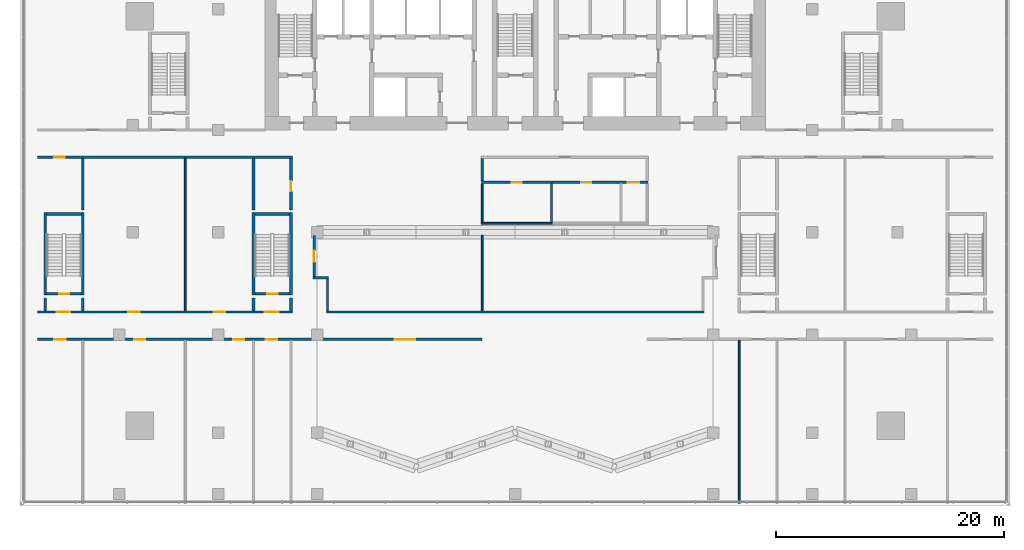
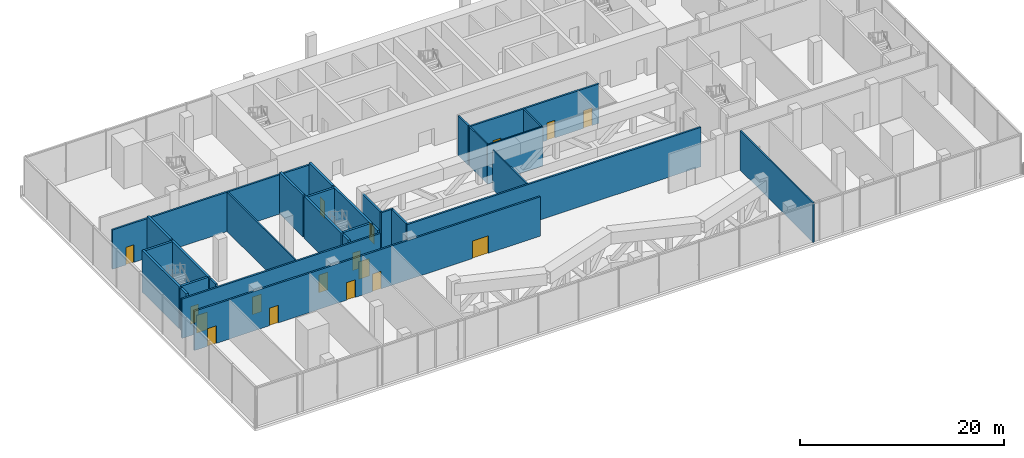
# One storey, part 13 of 22: 30 walls, 17 doors, 17 openings.
"""IFC4 building model written with IfcOpenShell, lengths in metres."""

from ifc_helpers import new_model, si_unit, direction, frame, frame_2d, origin, place, context, subcontext, project, spatial, rectangle, extrude, material, layer, layer_set, type_object, element, fill, save


model = new_model("IFC4")

# Units and contexts
model_context = context("Model", 3, precision=1e-05, world=origin(), true_north=direction((0.0, 1.0)))
body_context = subcontext(model_context, "Body", "Model", "MODEL_VIEW")
ifc_project = project(units=[si_unit("LENGTHUNIT", "METRE"), si_unit("AREAUNIT", "SQUARE_METRE"), si_unit("VOLUMEUNIT", "CUBIC_METRE"), si_unit("PLANEANGLEUNIT", "RADIAN"), si_unit("MASSUNIT", "GRAM", prefix="KILO")], contexts=[model_context])

# Site, building, storey
site_placement = place(None, origin())
site = spatial("IfcSite", under=ifc_project, at=site_placement, CompositionType="ELEMENT")
building_placement = place(site_placement, origin())
building = spatial("IfcBuilding", under=site, at=building_placement, Name="Bicima Exchange Tower", CompositionType="ELEMENT")
storey_placement = place(building_placement, frame((0.0, 0.0, 20.0)))
storey = spatial("IfcBuildingStorey", under=building, at=storey_placement, Name="L03", CompositionType="ELEMENT", Elevation=20.0)

# Wall, openings, doors
ifc_material_1 = material(Name="Gypsum board partition")
ifc_layer_1 = layer(ifc_material_1, 0.199951171875)
ifc_layer_set_1 = layer_set([ifc_layer_1], Name="Gypsum board partition")
wall_type_1 = type_object("IfcWallType", Name="Fire-rated gypsum partition 200 EI60", PredefinedType="PARTITIONING", material=ifc_layer_set_1)
wall_1_placement = place(storey_placement, frame((-42.0, -31.39990234375, 0.0), z_axis=(0.0, 0.0, 1.0), x_axis=(1.0, 0.0, 0.0)))
wall_1 = element("IfcWall", 1, at=wall_1_placement, inside=storey, type_object=wall_type_1, Name="partition wall 1", PredefinedType="PARTITIONING", context=body_context, shape_type="SweptSolid", body=[
    extrude(rectangle(XDim=39.10009765625, YDim=0.199951171875, at=frame_2d((19.550048828125, 0.0))), origin(), (0.0, 0.0, 1.0), 4.699951171875),
])
opening_1_placement = place(wall_1_placement, frame((1.5, 0.0, 0.0)))
opening_1 = element("IfcOpeningElement", 2, at=opening_1_placement, cuts=wall_1, Name="Opening L03-016", PredefinedType="OPENING", context=body_context, shape_type="SweptSolid", body=[
    extrude(rectangle(XDim=1.0, YDim=2.10009765625, at=frame_2d((0.5, 1.050048828125))), frame((0.0, 0.11181640625, 0.0), z_axis=(0.0, -1.0, 0.0), x_axis=(1.0, 0.0, 0.0)), (0.0, 0.0, 1.0), 0.223876953125),
])
opening_2_placement = place(wall_1_placement, frame((8.5, 0.0, 0.0)))
opening_2 = element("IfcOpeningElement", 3, at=opening_2_placement, cuts=wall_1, Name="Opening L03-018", PredefinedType="OPENING", context=body_context, shape_type="SweptSolid", body=[
    extrude(rectangle(XDim=1.0, YDim=2.10009765625, at=frame_2d((0.5, 1.050048828125))), frame((0.0, 0.11181640625, 0.0), z_axis=(0.0, -1.0, 0.0), x_axis=(1.0, 0.0, 0.0)), (0.0, 0.0, 1.0), 0.223876953125),
])
opening_3_placement = place(wall_1_placement, frame((17.199951171875, 0.0, 0.0)))
opening_3 = element("IfcOpeningElement", 4, at=opening_3_placement, cuts=wall_1, Name="Opening L03-020", PredefinedType="OPENING", context=body_context, shape_type="SweptSolid", body=[
    extrude(rectangle(XDim=1.0, YDim=2.10009765625, at=frame_2d((0.5, 1.050048828125))), frame((0.0, 0.11181640625, 0.0), z_axis=(0.0, -1.0, 0.0), x_axis=(1.0, 0.0, 0.0)), (0.0, 0.0, 1.0), 0.223876953125),
])
opening_4_placement = place(wall_1_placement, frame((20.10009765625, 0.0, 0.0)))
opening_4 = element("IfcOpeningElement", 5, at=opening_4_placement, cuts=wall_1, Name="Opening L03-022", PredefinedType="OPENING", context=body_context, shape_type="SweptSolid", body=[
    extrude(rectangle(XDim=1.0, YDim=2.10009765625, at=frame_2d((0.5, 1.050048828125))), frame((0.0, 0.11181640625, 0.0), z_axis=(0.0, -1.0, 0.0), x_axis=(1.0, 0.0, 0.0)), (0.0, 0.0, 1.0), 0.223876953125),
])
opening_5_placement = place(wall_1_placement, frame((31.39990234375, 0.0, 0.0)))
opening_5 = element("IfcOpeningElement", 6, at=opening_5_placement, cuts=wall_1, Name="Opening L03-024", PredefinedType="OPENING", context=body_context, shape_type="SweptSolid", body=[
    extrude(rectangle(XDim=1.800048828125, YDim=2.10009765625, at=frame_2d((0.89990234375, 1.050048828125))), frame((0.0, 0.11181640625, 0.0), z_axis=(0.0, -1.0, 0.0), x_axis=(1.0, 0.0, 0.0)), (0.0, 0.0, 1.0), 0.223876953125),
])
ifc_material_2 = material(Name="Steel fire door leaf", Category="steel")
door_type_1 = type_object("IfcDoorType", Name="Door 1000 swing FD30S", OperationType="SINGLE_SWING_LEFT", PredefinedType="DOOR", material=ifc_material_2)
door_1_placement = place(opening_1_placement, frame((1.0, 0.0, 0.0), z_axis=(0.0, 0.0, 1.0), x_axis=(-1.0, 0.0, 0.0)))
door_1 = element("IfcDoor", 7, at=door_1_placement, inside=storey, type_object=door_type_1, Name="Door", OperationType="SINGLE_SWING_LEFT", OverallHeight=2.10009765625, OverallWidth=1.0, PredefinedType="DOOR", context=body_context, shape_type="SweptSolid", body=[
    extrude(rectangle(XDim=1.0, YDim=2.10009765625, at=frame_2d((0.5, 1.050048828125))), frame((0.0, 0.02490234375, 0.0), z_axis=(0.0, -1.0, 0.0), x_axis=(1.0, 0.0, 0.0)), (0.0, 0.0, 1.0), 0.050048828125),
])
fill(opening_1, door_1)
door_2_placement = place(opening_2_placement, frame((1.0, 0.0, 0.0), z_axis=(0.0, 0.0, 1.0), x_axis=(-1.0, 0.0, 0.0)))
door_2 = element("IfcDoor", 8, at=door_2_placement, inside=storey, type_object=door_type_1, Name="Door", OperationType="SINGLE_SWING_RIGHT", OverallHeight=2.10009765625, OverallWidth=1.0, PredefinedType="DOOR", context=body_context, shape_type="SweptSolid", body=[
    extrude(rectangle(XDim=1.0, YDim=2.10009765625, at=frame_2d((0.5, 1.050048828125))), frame((0.0, 0.02490234375, 0.0), z_axis=(0.0, -1.0, 0.0), x_axis=(1.0, 0.0, 0.0)), (0.0, 0.0, 1.0), 0.050048828125),
])
fill(opening_2, door_2)
door_3_placement = place(opening_3_placement, frame((1.0, 0.0, 0.0), z_axis=(0.0, 0.0, 1.0), x_axis=(-1.0, 0.0, 0.0)))
door_3 = element("IfcDoor", 9, at=door_3_placement, inside=storey, type_object=door_type_1, Name="Door", OperationType="SINGLE_SWING_RIGHT", OverallHeight=2.10009765625, OverallWidth=1.0, PredefinedType="DOOR", context=body_context, shape_type="SweptSolid", body=[
    extrude(rectangle(XDim=1.0, YDim=2.10009765625, at=frame_2d((0.5, 1.050048828125))), frame((0.0, 0.02490234375, 0.0), z_axis=(0.0, -1.0, 0.0), x_axis=(1.0, 0.0, 0.0)), (0.0, 0.0, 1.0), 0.050048828125),
])
fill(opening_3, door_3)
door_4_placement = place(opening_4_placement, frame((1.0, 0.0, 0.0), z_axis=(0.0, 0.0, 1.0), x_axis=(-1.0, 0.0, 0.0)))
door_4 = element("IfcDoor", 10, at=door_4_placement, inside=storey, type_object=door_type_1, Name="Door", OperationType="SINGLE_SWING_LEFT", OverallHeight=2.10009765625, OverallWidth=1.0, PredefinedType="DOOR", context=body_context, shape_type="SweptSolid", body=[
    extrude(rectangle(XDim=1.0, YDim=2.10009765625, at=frame_2d((0.5, 1.050048828125))), frame((0.0, 0.02490234375, 0.0), z_axis=(0.0, -1.0, 0.0), x_axis=(1.0, 0.0, 0.0)), (0.0, 0.0, 1.0), 0.050048828125),
])
fill(opening_4, door_4)
door_type_2 = type_object("IfcDoorType", Name="Door 1800 double swing FD30S", OperationType="DOUBLE_DOOR_SINGLE_SWING", PredefinedType="DOOR", material=ifc_material_2)
door_5_placement = place(opening_5_placement, origin())
door_5 = element("IfcDoor", 11, at=door_5_placement, inside=storey, type_object=door_type_2, Name="Door", OperationType="SINGLE_SWING_LEFT", OverallHeight=2.10009765625, OverallWidth=1.800048828125, PredefinedType="DOOR", context=body_context, shape_type="SweptSolid", body=[
    extrude(rectangle(XDim=1.800048828125, YDim=2.10009765625, at=frame_2d((0.89990234375, 1.050048828125))), frame((0.0, 0.02490234375, 0.0), z_axis=(0.0, -1.0, 0.0), x_axis=(1.0, 0.0, 0.0)), (0.0, 0.0, 1.0), 0.050048828125),
])
fill(opening_5, door_5)

wall_2_placement = place(storey_placement, frame((-42.0, -29.0, 0.0), z_axis=(0.0, 0.0, 1.0), x_axis=(1.0, 0.0, 0.0)))
wall_2 = element("IfcWall", 12, at=wall_2_placement, inside=storey, type_object=wall_type_1, Name="partition wall 3", PredefinedType="PARTITIONING", context=body_context, shape_type="SweptSolid", body=[
    extrude(rectangle(XDim=22.425048828125, YDim=0.199951171875, at=frame_2d((11.21240234375, 0.0))), origin(), (0.0, 0.0, 1.0), 4.699951171875),
])
opening_6_placement = place(wall_2_placement, frame((1.699951171875, 0.0, 0.0)))
opening_6 = element("IfcOpeningElement", 13, at=opening_6_placement, cuts=wall_2, Name="Opening L03-001", PredefinedType="OPENING", context=body_context, shape_type="SweptSolid", body=[
    extrude(rectangle(XDim=1.199951171875, YDim=2.10009765625, at=frame_2d((0.60009765625, 1.050048828125))), frame((0.0, 0.11181640625, 0.0), z_axis=(0.0, -1.0, 0.0), x_axis=(1.0, 0.0, 0.0)), (0.0, 0.0, 1.0), 0.223876953125),
])
opening_7_placement = place(wall_2_placement, frame((20.0, 0.0, 0.0)))
opening_7 = element("IfcOpeningElement", 14, at=opening_7_placement, cuts=wall_2, Name="Opening L03-003", PredefinedType="OPENING", context=body_context, shape_type="SweptSolid", body=[
    extrude(rectangle(XDim=1.199951171875, YDim=2.10009765625, at=frame_2d((0.60009765625, 1.050048828125))), frame((0.0, 0.11181640625, 0.0), z_axis=(0.0, -1.0, 0.0), x_axis=(1.0, 0.0, 0.0)), (0.0, 0.0, 1.0), 0.223876953125),
])
opening_8_placement = place(wall_2_placement, frame((8.0, 0.0, 0.0)))
opening_8 = element("IfcOpeningElement", 15, at=opening_8_placement, cuts=wall_2, Name="Opening L03-017", PredefinedType="OPENING", context=body_context, shape_type="SweptSolid", body=[
    extrude(rectangle(XDim=1.0, YDim=2.10009765625, at=frame_2d((0.5, 1.050048828125))), frame((0.0, 0.11181640625, 0.0), z_axis=(0.0, -1.0, 0.0), x_axis=(1.0, 0.0, 0.0)), (0.0, 0.0, 1.0), 0.223876953125),
])
opening_9_placement = place(wall_2_placement, frame((15.5, 0.0, 0.0)))
opening_9 = element("IfcOpeningElement", 16, at=opening_9_placement, cuts=wall_2, Name="Opening L03-019", PredefinedType="OPENING", context=body_context, shape_type="SweptSolid", body=[
    extrude(rectangle(XDim=1.0, YDim=2.10009765625, at=frame_2d((0.5, 1.050048828125))), frame((0.0, 0.11181640625, 0.0), z_axis=(0.0, -1.0, 0.0), x_axis=(1.0, 0.0, 0.0)), (0.0, 0.0, 1.0), 0.223876953125),
])
door_6_placement = place(opening_8_placement, origin())
door_6 = element("IfcDoor", 17, at=door_6_placement, inside=storey, type_object=door_type_1, Name="Door", OperationType="SINGLE_SWING_LEFT", OverallHeight=2.10009765625, OverallWidth=1.0, PredefinedType="DOOR", context=body_context, shape_type="SweptSolid", body=[
    extrude(rectangle(XDim=1.0, YDim=2.10009765625, at=frame_2d((0.5, 1.050048828125))), frame((0.0, 0.02490234375, 0.0), z_axis=(0.0, -1.0, 0.0), x_axis=(1.0, 0.0, 0.0)), (0.0, 0.0, 1.0), 0.050048828125),
])
fill(opening_8, door_6)
door_7_placement = place(opening_9_placement, origin())
door_7 = element("IfcDoor", 18, at=door_7_placement, inside=storey, type_object=door_type_1, Name="Door", OperationType="SINGLE_SWING_LEFT", OverallHeight=2.10009765625, OverallWidth=1.0, PredefinedType="DOOR", context=body_context, shape_type="SweptSolid", body=[
    extrude(rectangle(XDim=1.0, YDim=2.10009765625, at=frame_2d((0.5, 1.050048828125))), frame((0.0, 0.02490234375, 0.0), z_axis=(0.0, -1.0, 0.0), x_axis=(1.0, 0.0, 0.0)), (0.0, 0.0, 1.0), 0.050048828125),
])
fill(opening_9, door_7)
door_type_3 = type_object("IfcDoorType", Name="Door 1200 swing FD30S", OperationType="SINGLE_SWING_LEFT", PredefinedType="DOOR", material=ifc_material_2)
door_8_placement = place(opening_6_placement, origin())
door_8 = element("IfcDoor", 19, at=door_8_placement, inside=storey, type_object=door_type_3, Name="Door", OperationType="SINGLE_SWING_LEFT", OverallHeight=2.10009765625, OverallWidth=1.199951171875, PredefinedType="DOOR", context=body_context, shape_type="SweptSolid", body=[
    extrude(rectangle(XDim=1.199951171875, YDim=2.10009765625, at=frame_2d((0.60009765625, 1.050048828125))), frame((0.0, 0.02490234375, 0.0), z_axis=(0.0, -1.0, 0.0), x_axis=(1.0, 0.0, 0.0)), (0.0, 0.0, 1.0), 0.050048828125),
])
fill(opening_6, door_8)
door_9_placement = place(opening_7_placement, origin())
door_9 = element("IfcDoor", 20, at=door_9_placement, inside=storey, type_object=door_type_3, Name="Door", OperationType="SINGLE_SWING_RIGHT", OverallHeight=2.10009765625, OverallWidth=1.199951171875, PredefinedType="DOOR", context=body_context, shape_type="SweptSolid", body=[
    extrude(rectangle(XDim=1.199951171875, YDim=2.10009765625, at=frame_2d((0.60009765625, 1.050048828125))), frame((0.0, 0.02490234375, 0.0), z_axis=(0.0, -1.0, 0.0), x_axis=(1.0, 0.0, 0.0)), (0.0, 0.0, 1.0), 0.050048828125),
])
fill(opening_7, door_9)

# Walls
wall_3_placement = place(storey_placement, frame((-16.60009765625, -29.0, 0.0), z_axis=(0.0, 0.0, 1.0), x_axis=(1.0, 0.0, 0.0)))
element("IfcWall", 21, at=wall_3_placement, inside=storey, type_object=wall_type_1, Name="partition wall 4", PredefinedType="PARTITIONING", context=body_context, shape_type="SweptSolid", body=[
    extrude(rectangle(XDim=33.2001953125, YDim=0.199951171875, at=frame_2d((16.60009765625, 0.0))), origin(), (0.0, 0.0, 1.0), 4.699951171875),
])
wall_4_placement = place(storey_placement, frame((-17.77001953125, -26.0, 0.0), z_axis=(0.0, 0.0, 1.0), x_axis=(1.0, 0.0, 0.0)))
element("IfcWall", 22, at=wall_4_placement, inside=storey, type_object=wall_type_1, Name="partition wall 10", PredefinedType="PARTITIONING", context=body_context, shape_type="SweptSolid", body=[
    extrude(rectangle(XDim=1.3701171875, YDim=0.199951171875, at=frame_2d((0.68505859375, 0.0))), origin(), (0.0, 0.0, 1.0), 4.699951171875),
])

# Wall, openings, doors
wall_5_placement = place(storey_placement, frame((-2.97509765625, -17.60009765625, 0.0), z_axis=(0.0, 0.0, 1.0), x_axis=(1.0, 0.0, 0.0)))
wall_5 = element("IfcWall", 23, at=wall_5_placement, inside=storey, type_object=wall_type_1, Name="partition wall 19", PredefinedType="PARTITIONING", context=body_context, shape_type="SweptSolid", body=[
    extrude(rectangle(XDim=14.650146484375, YDim=0.199951171875, at=frame_2d((7.3251953125, 0.0))), origin(), (0.0, 0.0, 1.0), 4.699951171875),
])
opening_10_placement = place(wall_5_placement, frame((2.675048828125, 0.0, 0.0)))
opening_10 = element("IfcOpeningElement", 24, at=opening_10_placement, cuts=wall_5, Name="Opening L03-026", PredefinedType="OPENING", context=body_context, shape_type="SweptSolid", body=[
    extrude(rectangle(XDim=0.89990234375, YDim=2.10009765625, at=frame_2d((0.449951171875, 1.050048828125))), frame((0.0, 0.11181640625, 0.0), z_axis=(0.0, -1.0, 0.0), x_axis=(1.0, 0.0, 0.0)), (0.0, 0.0, 1.0), 0.223876953125),
])
opening_11_placement = place(wall_5_placement, frame((8.77490234375, 0.0, 0.0)))
opening_11 = element("IfcOpeningElement", 25, at=opening_11_placement, cuts=wall_5, Name="Opening L03-027", PredefinedType="OPENING", context=body_context, shape_type="SweptSolid", body=[
    extrude(rectangle(XDim=0.89990234375, YDim=2.10009765625, at=frame_2d((0.449951171875, 1.050048828125))), frame((0.0, 0.11181640625, 0.0), z_axis=(0.0, -1.0, 0.0), x_axis=(1.0, 0.0, 0.0)), (0.0, 0.0, 1.0), 0.223876953125),
])
opening_12_placement = place(wall_5_placement, frame((12.875, 0.0, 0.0)))
opening_12 = element("IfcOpeningElement", 26, at=opening_12_placement, cuts=wall_5, Name="Opening L03-028", PredefinedType="OPENING", context=body_context, shape_type="SweptSolid", body=[
    extrude(rectangle(XDim=1.0, YDim=2.10009765625, at=frame_2d((0.5, 1.050048828125))), frame((0.0, 0.11181640625, 0.0), z_axis=(0.0, -1.0, 0.0), x_axis=(1.0, 0.0, 0.0)), (0.0, 0.0, 1.0), 0.223876953125),
])
door_10_placement = place(opening_12_placement, frame((1.0, 0.0, 0.0), z_axis=(0.0, 0.0, 1.0), x_axis=(-1.0, 0.0, 0.0)))
door_10 = element("IfcDoor", 27, at=door_10_placement, inside=storey, type_object=door_type_1, Name="Door", OperationType="SINGLE_SWING_LEFT", OverallHeight=2.10009765625, OverallWidth=1.0, PredefinedType="DOOR", context=body_context, shape_type="SweptSolid", body=[
    extrude(rectangle(XDim=1.0, YDim=2.10009765625, at=frame_2d((0.5, 1.050048828125))), frame((0.0, 0.02490234375, 0.0), z_axis=(0.0, -1.0, 0.0), x_axis=(1.0, 0.0, 0.0)), (0.0, 0.0, 1.0), 0.050048828125),
])
fill(opening_12, door_10)
door_type_4 = type_object("IfcDoorType", Name="Door 900 swing FD30S", OperationType="SINGLE_SWING_LEFT", PredefinedType="DOOR", material=ifc_material_2)
door_11_placement = place(opening_10_placement, frame((0.89990234375, 0.0, 0.0), z_axis=(0.0, 0.0, 1.0), x_axis=(-1.0, 0.0, 0.0)))
door_11 = element("IfcDoor", 28, at=door_11_placement, inside=storey, type_object=door_type_4, Name="Door", OperationType="SINGLE_SWING_RIGHT", OverallHeight=2.10009765625, OverallWidth=0.89990234375, PredefinedType="DOOR", context=body_context, shape_type="SweptSolid", body=[
    extrude(rectangle(XDim=0.89990234375, YDim=2.10009765625, at=frame_2d((0.449951171875, 1.050048828125))), frame((0.0, 0.02490234375, 0.0), z_axis=(0.0, -1.0, 0.0), x_axis=(1.0, 0.0, 0.0)), (0.0, 0.0, 1.0), 0.050048828125),
])
fill(opening_10, door_11)
door_12_placement = place(opening_11_placement, frame((0.89990234375, 0.0, 0.0), z_axis=(0.0, 0.0, 1.0), x_axis=(-1.0, 0.0, 0.0)))
door_12 = element("IfcDoor", 29, at=door_12_placement, inside=storey, type_object=door_type_4, Name="Door", OperationType="SINGLE_SWING_RIGHT", OverallHeight=2.10009765625, OverallWidth=0.89990234375, PredefinedType="DOOR", context=body_context, shape_type="SweptSolid", body=[
    extrude(rectangle(XDim=0.89990234375, YDim=2.10009765625, at=frame_2d((0.449951171875, 1.050048828125))), frame((0.0, 0.02490234375, 0.0), z_axis=(0.0, -1.0, 0.0), x_axis=(1.0, 0.0, 0.0)), (0.0, 0.0, 1.0), 0.050048828125),
])
fill(opening_11, door_12)

# Wall, opening, door
wall_6_placement = place(storey_placement, frame((-42.0, -15.39990234375, 0.0), z_axis=(0.0, 0.0, 1.0), x_axis=(1.0, 0.0, 0.0)))
wall_6 = element("IfcWall", 30, at=wall_6_placement, inside=storey, type_object=wall_type_1, Name="partition wall 20", PredefinedType="PARTITIONING", context=body_context, shape_type="SweptSolid", body=[
    extrude(rectangle(XDim=22.425048828125, YDim=0.199951171875, at=frame_2d((11.21240234375, 0.0))), origin(), (0.0, 0.0, 1.0), 4.699951171875),
])
opening_13_placement = place(wall_6_placement, frame((1.5, 0.0, 0.0)))
opening_13 = element("IfcOpeningElement", 31, at=opening_13_placement, cuts=wall_6, Name="Opening L03-015", PredefinedType="OPENING", context=body_context, shape_type="SweptSolid", body=[
    extrude(rectangle(XDim=0.89990234375, YDim=2.10009765625, at=frame_2d((0.449951171875, 1.050048828125))), frame((0.0, 0.11181640625, 0.0), z_axis=(0.0, -1.0, 0.0), x_axis=(1.0, 0.0, 0.0)), (0.0, 0.0, 1.0), 0.223876953125),
])
door_13_placement = place(opening_13_placement, frame((0.89990234375, 0.0, 0.0), z_axis=(0.0, 0.0, 1.0), x_axis=(-1.0, 0.0, 0.0)))
door_13 = element("IfcDoor", 32, at=door_13_placement, inside=storey, type_object=door_type_4, Name="Door", OperationType="SINGLE_SWING_RIGHT", OverallHeight=2.10009765625, OverallWidth=0.89990234375, PredefinedType="DOOR", context=body_context, shape_type="SweptSolid", body=[
    extrude(rectangle(XDim=0.89990234375, YDim=2.10009765625, at=frame_2d((0.449951171875, 1.050048828125))), frame((0.0, 0.02490234375, 0.0), z_axis=(0.0, -1.0, 0.0), x_axis=(1.0, 0.0, 0.0)), (0.0, 0.0, 1.0), 0.050048828125),
])
fill(opening_13, door_13)

wall_7_placement = place(storey_placement, frame((-17.669921875, -25.89990234375, 0.0), z_axis=(0.0, 0.0, 1.0), x_axis=(0.0, 1.0, 0.0)))
wall_7 = element("IfcWall", 33, at=wall_7_placement, inside=storey, type_object=wall_type_1, Name="partition wall 42", PredefinedType="PARTITIONING", context=body_context, shape_type="SweptSolid", body=[
    extrude(rectangle(XDim=3.60986328125, YDim=0.199951171875, at=frame_2d((1.804931640625, 0.0))), origin(), (0.0, 0.0, 1.0), 4.699951171875),
])
opening_14_placement = place(wall_7_placement, frame((1.300048828125, 0.0, 0.0)))
opening_14 = element("IfcOpeningElement", 34, at=opening_14_placement, cuts=wall_7, Name="Opening L03-023", PredefinedType="OPENING", context=body_context, shape_type="SweptSolid", body=[
    extrude(rectangle(XDim=1.0, YDim=2.10009765625, at=frame_2d((0.5, 1.050048828125))), frame((0.0, 0.11181640625, 0.0), z_axis=(0.0, -1.0, 0.0), x_axis=(1.0, 0.0, 0.0)), (0.0, 0.0, 1.0), 0.223876953125),
])
door_14_placement = place(opening_14_placement, frame((1.0, 0.0, 0.0), z_axis=(0.0, 0.0, 1.0), x_axis=(-1.0, 0.0, 0.0)))
door_14 = element("IfcDoor", 35, at=door_14_placement, inside=storey, type_object=door_type_1, Name="Door", OperationType="SINGLE_SWING_RIGHT", OverallHeight=2.10009765625, OverallWidth=1.0, PredefinedType="DOOR", context=body_context, shape_type="SweptSolid", body=[
    extrude(rectangle(XDim=1.0, YDim=2.10009765625, at=frame_2d((0.5, 1.050048828125))), frame((0.0, 0.02490234375, 0.0), z_axis=(0.0, -1.0, 0.0), x_axis=(1.0, 0.0, 0.0)), (0.0, 0.0, 1.0), 0.050048828125),
])
fill(opening_14, door_14)

# Walls
wall_8_placement = place(storey_placement, frame((-16.5, -28.89990234375, 0.0), z_axis=(0.0, 0.0, 1.0), x_axis=(0.0, 1.0, 0.0)))
element("IfcWall", 36, at=wall_8_placement, inside=storey, type_object=wall_type_1, Name="partition wall 43", PredefinedType="PARTITIONING", context=body_context, shape_type="SweptSolid", body=[
    extrude(rectangle(XDim=2.7998046875, YDim=0.199951171875, at=frame_2d((1.39990234375, 0.0))), origin(), (0.0, 0.0, 1.0), 4.699951171875),
])
wall_9_placement = place(storey_placement, frame((-2.89990234375, -17.47998046875, 0.0), z_axis=(0.0, 0.0, 1.0), x_axis=(0.0, 1.0, 0.0)))
element("IfcWall", 37, at=wall_9_placement, inside=storey, type_object=wall_type_1, Name="partition wall 46", PredefinedType="PARTITIONING", context=body_context, shape_type="SweptSolid", body=[
    extrude(rectangle(XDim=1.9599609375, YDim=0.199951171875, at=frame_2d((0.97998046875, 0.0))), origin(), (0.0, 0.0, 1.0), 4.699951171875),
])
ifc_layer_2 = layer(ifc_material_1, 0.14990234375)
ifc_layer_set_2 = layer_set([ifc_layer_2], Name="Gypsum board partition")
wall_type_2 = type_object("IfcWallType", Name="Gypsum partition 150", PredefinedType="PARTITIONING", material=ifc_layer_set_2)
wall_10_placement = place(storey_placement, frame((-2.97509765625, -21.199951171875, 0.0), z_axis=(0.0, 0.0, 1.0), x_axis=(1.0, 0.0, 0.0)))
element("IfcWall", 38, at=wall_10_placement, inside=storey, type_object=wall_type_2, Name="partition wall 12", PredefinedType="PARTITIONING", context=body_context, shape_type="SweptSolid", body=[
    extrude(rectangle(XDim=6.22998046875, YDim=0.14990234375, at=frame_2d((3.114990234375, 0.0))), origin(), (0.0, 0.0, 1.0), 4.699951171875),
])
wall_11_placement = place(storey_placement, frame((-29.0, -28.89990234375, 0.0), z_axis=(0.0, 0.0, 1.0), x_axis=(0.0, 1.0, 0.0)))
element("IfcWall", 39, at=wall_11_placement, inside=storey, type_object=wall_type_2, Name="partition wall 36", PredefinedType="PARTITIONING", context=body_context, shape_type="SweptSolid", body=[
    extrude(rectangle(XDim=13.39990234375, YDim=0.14990234375, at=frame_2d((6.699951171875, 0.0))), origin(), (0.0, 0.0, 1.0), 4.699951171875),
])
wall_12_placement = place(storey_placement, frame((-2.89990234375, -28.89990234375, 0.0), z_axis=(0.0, 0.0, 1.0), x_axis=(0.0, 1.0, 0.0)))
element("IfcWall", 40, at=wall_12_placement, inside=storey, type_object=wall_type_2, Name="partition wall 44", PredefinedType="PARTITIONING", context=body_context, shape_type="SweptSolid", body=[
    extrude(rectangle(XDim=6.6298828125, YDim=0.14990234375, at=frame_2d((3.31494140625, 0.0))), origin(), (0.0, 0.0, 1.0), 4.699951171875),
])
wall_13_placement = place(storey_placement, frame((-2.89990234375, -21.125, 0.0), z_axis=(0.0, 0.0, 1.0), x_axis=(0.0, 1.0, 0.0)))
element("IfcWall", 41, at=wall_13_placement, inside=storey, type_object=wall_type_2, Name="partition wall 45", PredefinedType="PARTITIONING", context=body_context, shape_type="SweptSolid", body=[
    extrude(rectangle(XDim=3.405029296875, YDim=0.14990234375, at=frame_2d((1.70263671875, 0.0))), origin(), (0.0, 0.0, 1.0), 4.699951171875),
])
wall_14_placement = place(storey_placement, frame((3.199951171875, -21.125, 0.0), z_axis=(0.0, 0.0, 1.0), x_axis=(0.0, 1.0, 0.0)))
element("IfcWall", 42, at=wall_14_placement, inside=storey, type_object=wall_type_2, Name="partition wall 47", PredefinedType="PARTITIONING", context=body_context, shape_type="SweptSolid", body=[
    extrude(rectangle(XDim=3.425048828125, YDim=0.14990234375, at=frame_2d((1.71240234375, 0.0))), origin(), (0.0, 0.0, 1.0), 4.699951171875),
])
wall_15_placement = place(storey_placement, frame((19.699951171875, -45.7900390625, 0.0), z_axis=(0.0, 0.0, 1.0), x_axis=(0.0, 1.0, 0.0)))
element("IfcWall", 43, at=wall_15_placement, inside=storey, type_object=wall_type_2, Name="partition wall 53", PredefinedType="PARTITIONING", context=body_context, shape_type="SweptSolid", body=[
    extrude(rectangle(XDim=14.2900390625, YDim=0.14990234375, at=frame_2d((7.14501953125, 0.0))), origin(), (0.0, 0.0, 1.0), 4.699951171875),
])
ifc_material_3 = material(Name="Concrete C50/60", Category="concrete")
ifc_layer_3 = layer(ifc_material_3, 0.25)
ifc_layer_set_3 = layer_set([ifc_layer_3], Name="Concrete C50/60")
wall_type_3 = type_object("IfcWallType", Name="RC core wall 250 C50/60", PredefinedType="SHEAR", material=ifc_layer_set_3)
for number, where, z_axis, x_axis, name in (
    (44, (-41.300048828125, -28.89990234375, 0.0), (0.0, 0.0, 1.0), (0.0, 1.0, 0.0), "stair wall 31"),
    (45, (-38.0, -28.89990234375, 0.0), (0.0, 0.0, 1.0), (0.0, 1.0, 0.0), "stair wall 33"),
):
    element("IfcWall", number, at=place(storey_placement, frame(where, z_axis=z_axis, x_axis=x_axis)), inside=storey, type_object=wall_type_3, Name=name, PredefinedType="SHEAR", context=body_context, shape_type="SweptSolid", body=[
        extrude(rectangle(XDim=1.14990234375, YDim=0.25, at=frame_2d((0.574951171875, 0.0))), origin(), (0.0, 0.0, 1.0), 5.0),
    ])
wall_16_placement = place(storey_placement, frame((-38.0, -20.050048828125, 0.0), z_axis=(0.0, 0.0, 1.0), x_axis=(0.0, 1.0, 0.0)))
element("IfcWall", 46, at=wall_16_placement, inside=storey, type_object=wall_type_3, Name="stair wall 33", PredefinedType="SHEAR", context=body_context, shape_type="SweptSolid", body=[
    extrude(rectangle(XDim=4.550048828125, YDim=0.25, at=frame_2d((2.27490234375, 0.0))), origin(), (0.0, 0.0, 1.0), 5.0),
])
wall_17_placement = place(storey_placement, frame((-23.0, -28.89990234375, 0.0), z_axis=(0.0, 0.0, 1.0), x_axis=(0.0, 1.0, 0.0)))
element("IfcWall", 47, at=wall_17_placement, inside=storey, type_object=wall_type_3, Name="stair wall 39", PredefinedType="SHEAR", context=body_context, shape_type="SweptSolid", body=[
    extrude(rectangle(XDim=1.14990234375, YDim=0.25, at=frame_2d((0.574951171875, 0.0))), origin(), (0.0, 0.0, 1.0), 5.0),
])
wall_18_placement = place(storey_placement, frame((-23.0, -20.050048828125, 0.0), z_axis=(0.0, 0.0, 1.0), x_axis=(0.0, 1.0, 0.0)))
element("IfcWall", 48, at=wall_18_placement, inside=storey, type_object=wall_type_3, Name="stair wall 39", PredefinedType="SHEAR", context=body_context, shape_type="SweptSolid", body=[
    extrude(rectangle(XDim=4.550048828125, YDim=0.25, at=frame_2d((2.27490234375, 0.0))), origin(), (0.0, 0.0, 1.0), 5.0),
])
wall_19_placement = place(storey_placement, frame((-19.699951171875, -28.89990234375, 0.0), z_axis=(0.0, 0.0, 1.0), x_axis=(0.0, 1.0, 0.0)))
element("IfcWall", 49, at=wall_19_placement, inside=storey, type_object=wall_type_3, Name="stair wall 41", PredefinedType="SHEAR", context=body_context, shape_type="SweptSolid", body=[
    extrude(rectangle(XDim=1.14990234375, YDim=0.25, at=frame_2d((0.574951171875, 0.0))), origin(), (0.0, 0.0, 1.0), 5.0),
])

# Wall, opening, door
wall_20_placement = place(storey_placement, frame((-19.699951171875, -20.050048828125, 0.0), z_axis=(0.0, 0.0, 1.0), x_axis=(0.0, 1.0, 0.0)))
wall_20 = element("IfcWall", 50, at=wall_20_placement, inside=storey, type_object=wall_type_3, Name="stair wall 41", PredefinedType="SHEAR", context=body_context, shape_type="SweptSolid", body=[
    extrude(rectangle(XDim=4.550048828125, YDim=0.25, at=frame_2d((2.27490234375, 0.0))), origin(), (0.0, 0.0, 1.0), 5.0),
])
opening_15_placement = place(wall_20_placement, frame((1.64990234375, 0.0, 0.0)))
opening_15 = element("IfcOpeningElement", 51, at=opening_15_placement, cuts=wall_20, Name="Opening L03-021", PredefinedType="OPENING", context=body_context, shape_type="SweptSolid", body=[
    extrude(rectangle(XDim=0.89990234375, YDim=2.10009765625, at=frame_2d((0.449951171875, 1.050048828125))), frame((0.0, 0.136962890625, 0.0), z_axis=(0.0, -1.0, 0.0), x_axis=(1.0, 0.0, 0.0)), (0.0, 0.0, 1.0), 0.27392578125),
])
door_type_5 = type_object("IfcDoorType", Name="Door 900 swing FD60S", OperationType="SINGLE_SWING_LEFT", PredefinedType="DOOR", material=ifc_material_2)
door_15_placement = place(opening_15_placement, origin())
door_15 = element("IfcDoor", 52, at=door_15_placement, inside=storey, type_object=door_type_5, Name="Door", OperationType="SINGLE_SWING_RIGHT", OverallHeight=2.10009765625, OverallWidth=0.89990234375, PredefinedType="DOOR", context=body_context, shape_type="SweptSolid", body=[
    extrude(rectangle(XDim=0.89990234375, YDim=2.10009765625, at=frame_2d((0.449951171875, 1.050048828125))), frame((0.0, 0.02490234375, 0.0), z_axis=(0.0, -1.0, 0.0), x_axis=(1.0, 0.0, 0.0)), (0.0, 0.0, 1.0), 0.050048828125),
])
fill(opening_15, door_15)

# Walls
ifc_layer_4 = layer(ifc_material_3, 0.25)
ifc_layer_set_4 = layer_set([ifc_layer_4], Name="Concrete C50/60")
wall_type_4 = type_object("IfcWallType", Name="RC stair enclosure wall 250 C50/60", PredefinedType="SHEAR", material=ifc_layer_set_4)
for number, where, z_axis, x_axis, name in (
    (53, (-41.300048828125, -27.52490234375, 0.0), (0.0, 0.0, 1.0), (0.0, 1.0, 0.0), "Podium west stair wall W"),
    (54, (-38.0, -27.52490234375, 0.0), (0.0, 0.0, 1.0), (0.0, 1.0, 0.0), "Podium west stair wall E"),
):
    element("IfcWall", number, at=place(storey_placement, frame(where, z_axis=z_axis, x_axis=x_axis)), inside=storey, type_object=wall_type_4, Name=name, PredefinedType="SHEAR", context=body_context, shape_type="SweptSolid", body=[
        extrude(rectangle(XDim=7.25, YDim=0.25, at=frame_2d((3.625, 0.0))), origin(), (0.0, 0.0, 1.0), 5.0),
    ])

# Wall, opening, door
wall_21_placement = place(storey_placement, frame((-41.175048828125, -27.39990234375, 0.0), z_axis=(0.0, 0.0, 1.0), x_axis=(1.0, 0.0, 0.0)))
wall_21 = element("IfcWall", 55, at=wall_21_placement, inside=storey, type_object=wall_type_4, Name="Podium west stair wall S", PredefinedType="SHEAR", context=body_context, shape_type="SweptSolid", body=[
    extrude(rectangle(XDim=3.050048828125, YDim=0.25, at=frame_2d((1.52490234375, 0.0))), origin(), (0.0, 0.0, 1.0), 5.0),
])
opening_16_placement = place(wall_21_placement, frame((1.10009765625, 0.0, 0.0)))
opening_16 = element("IfcOpeningElement", 56, at=opening_16_placement, cuts=wall_21, Name="Opening L03-002", PredefinedType="OPENING", context=body_context, shape_type="SweptSolid", body=[
    extrude(rectangle(XDim=0.89990234375, YDim=2.10009765625, at=frame_2d((0.449951171875, 1.050048828125))), frame((0.0, 0.136962890625, 0.0), z_axis=(0.0, -1.0, 0.0), x_axis=(1.0, 0.0, 0.0)), (0.0, 0.0, 1.0), 0.27392578125),
])
door_16_placement = place(opening_16_placement, origin())
door_16 = element("IfcDoor", 57, at=door_16_placement, inside=storey, type_object=door_type_5, Name="Door", OperationType="SINGLE_SWING_LEFT", OverallHeight=2.10009765625, OverallWidth=0.89990234375, PredefinedType="DOOR", context=body_context, shape_type="SweptSolid", body=[
    extrude(rectangle(XDim=0.89990234375, YDim=2.10009765625, at=frame_2d((0.449951171875, 1.050048828125))), frame((0.0, 0.02490234375, 0.0), z_axis=(0.0, -1.0, 0.0), x_axis=(1.0, 0.0, 0.0)), (0.0, 0.0, 1.0), 0.050048828125),
])
fill(opening_16, door_16)

# Walls
wall_22_placement = place(storey_placement, frame((-41.175048828125, -20.39990234375, 0.0), z_axis=(0.0, 0.0, 1.0), x_axis=(1.0, 0.0, 0.0)))
element("IfcWall", 58, at=wall_22_placement, inside=storey, type_object=wall_type_4, Name="Podium west stair wall N", PredefinedType="SHEAR", context=body_context, shape_type="SweptSolid", body=[
    extrude(rectangle(XDim=3.050048828125, YDim=0.25, at=frame_2d((1.52490234375, 0.0))), origin(), (0.0, 0.0, 1.0), 5.0),
])
for number, where, z_axis, x_axis, name in (
    (59, (-23.0, -27.52490234375, 0.0), (0.0, 0.0, 1.0), (0.0, 1.0, 0.0), "Podium inner west stair wall W"),
    (60, (-19.699951171875, -27.52490234375, 0.0), (0.0, 0.0, 1.0), (0.0, 1.0, 0.0), "Podium inner west stair wall E"),
):
    element("IfcWall", number, at=place(storey_placement, frame(where, z_axis=z_axis, x_axis=x_axis)), inside=storey, type_object=wall_type_4, Name=name, PredefinedType="SHEAR", context=body_context, shape_type="SweptSolid", body=[
        extrude(rectangle(XDim=7.25, YDim=0.25, at=frame_2d((3.625, 0.0))), origin(), (0.0, 0.0, 1.0), 5.0),
    ])

# Wall, opening, door
wall_23_placement = place(storey_placement, frame((-22.875, -27.39990234375, 0.0), z_axis=(0.0, 0.0, 1.0), x_axis=(1.0, 0.0, 0.0)))
wall_23 = element("IfcWall", 61, at=wall_23_placement, inside=storey, type_object=wall_type_4, Name="Podium inner west stair wall S", PredefinedType="SHEAR", context=body_context, shape_type="SweptSolid", body=[
    extrude(rectangle(XDim=3.050048828125, YDim=0.25, at=frame_2d((1.52490234375, 0.0))), origin(), (0.0, 0.0, 1.0), 5.0),
])
opening_17_placement = place(wall_23_placement, frame((1.10009765625, 0.0, 0.0)))
opening_17 = element("IfcOpeningElement", 62, at=opening_17_placement, cuts=wall_23, Name="Opening L03-004", PredefinedType="OPENING", context=body_context, shape_type="SweptSolid", body=[
    extrude(rectangle(XDim=0.89990234375, YDim=2.10009765625, at=frame_2d((0.449951171875, 1.050048828125))), frame((0.0, 0.136962890625, 0.0), z_axis=(0.0, -1.0, 0.0), x_axis=(1.0, 0.0, 0.0)), (0.0, 0.0, 1.0), 0.27392578125),
])
door_17_placement = place(opening_17_placement, origin())
door_17 = element("IfcDoor", 63, at=door_17_placement, inside=storey, type_object=door_type_5, Name="Door", OperationType="SINGLE_SWING_LEFT", OverallHeight=2.10009765625, OverallWidth=0.89990234375, PredefinedType="DOOR", context=body_context, shape_type="SweptSolid", body=[
    extrude(rectangle(XDim=0.89990234375, YDim=2.10009765625, at=frame_2d((0.449951171875, 1.050048828125))), frame((0.0, 0.02490234375, 0.0), z_axis=(0.0, -1.0, 0.0), x_axis=(1.0, 0.0, 0.0)), (0.0, 0.0, 1.0), 0.050048828125),
])
fill(opening_17, door_17)

# Wall
wall_24_placement = place(storey_placement, frame((-22.875, -20.39990234375, 0.0), z_axis=(0.0, 0.0, 1.0), x_axis=(1.0, 0.0, 0.0)))
element("IfcWall", 64, at=wall_24_placement, inside=storey, type_object=wall_type_4, Name="Podium inner west stair wall N", PredefinedType="SHEAR", context=body_context, shape_type="SweptSolid", body=[
    extrude(rectangle(XDim=3.050048828125, YDim=0.25, at=frame_2d((1.52490234375, 0.0))), origin(), (0.0, 0.0, 1.0), 5.0),
])

save(model, "model.ifc")
